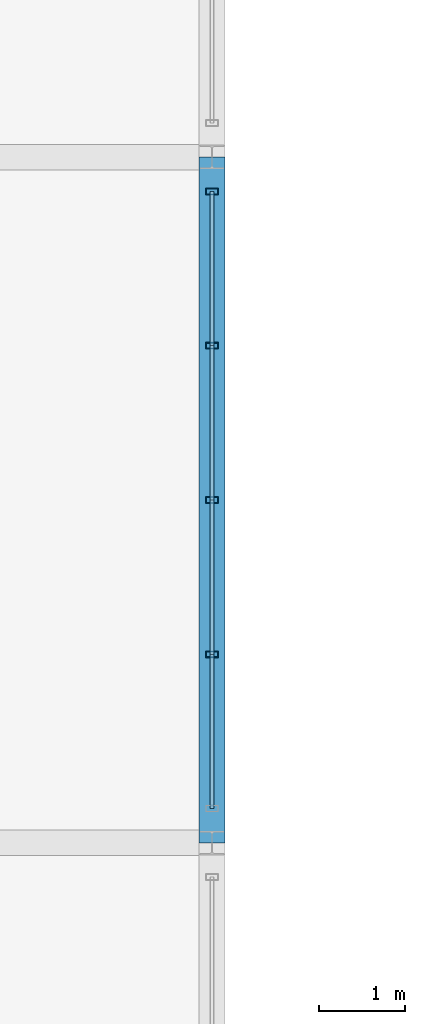
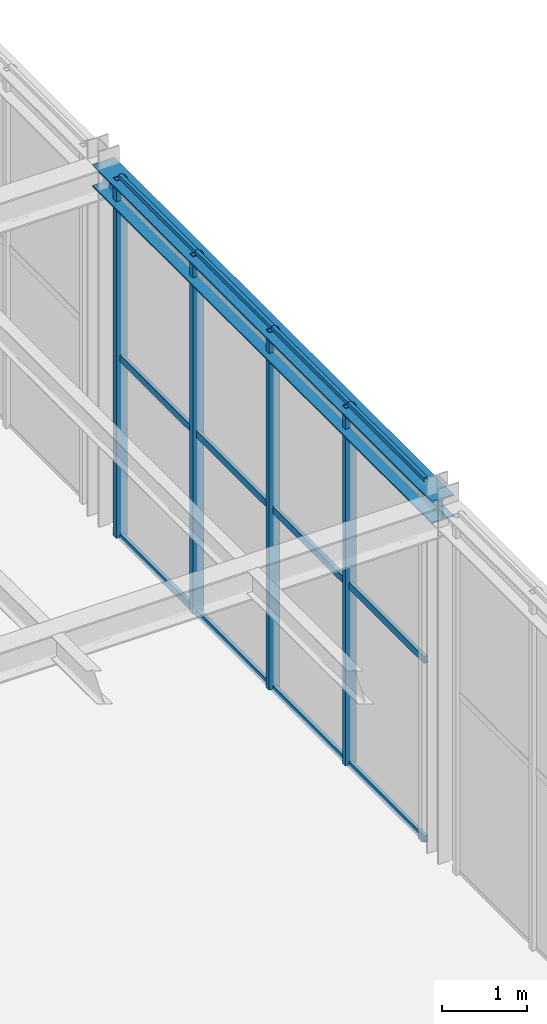
# One storey, part 40 of 129: 16 members, 1 beam, 1 element without a shape of its own.
"""IFC4 building model written with IfcOpenShell, lengths in metres."""

from ifc_helpers import new_model, si_unit, direction, frame, origin, origin_2d, place, context, subcontext, project, spatial, hollow_rectangle, i_section, extrude, material, material_profile, profile_set, type_object, element, aggregate, save


model = new_model("IFC4")

# Units and contexts
model_context = context("Model", 3, precision=1e-05, world=origin(), true_north=direction((0.0, 1.0)))
body_context = subcontext(model_context, "Body", "Model", "MODEL_VIEW")
ifc_project = project(units=[si_unit("LENGTHUNIT", "METRE"), si_unit("AREAUNIT", "SQUARE_METRE"), si_unit("VOLUMEUNIT", "CUBIC_METRE"), si_unit("PLANEANGLEUNIT", "RADIAN"), si_unit("MASSUNIT", "GRAM", prefix="KILO")], contexts=[model_context])

# Site, building, storey
site_placement = place(None, origin())
site = spatial("IfcSite", under=ifc_project, at=site_placement, CompositionType="ELEMENT")
building_placement = place(site_placement, origin())
building = spatial("IfcBuilding", under=site, at=building_placement, Name="Sundkrona Museum", CompositionType="ELEMENT")
storey_placement = place(building_placement, origin())
storey = spatial("IfcBuildingStorey", under=building, at=storey_placement, Name="L00", CompositionType="ELEMENT", Elevation=0.0)

# Curtain wall, members
ifc_material_1 = material(Name="Unitised Aluminium-Steel and Ceramic-Clad Curtain Walling", Category="steel")
curtain_wall_type = type_object("IfcCurtainWallType", Name="CW-PS-74x48", PredefinedType="NOTDEFINED", material=ifc_material_1)
curtain_wall_placement = place(storey_placement, origin())
curtain_wall = element("IfcCurtainWall", 1, at=curtain_wall_placement, inside=storey, type_object=curtain_wall_type, Name="L00 Curtain Wall CW-L00-097", PredefinedType="NOTDEFINED")
ifc_material_2 = material(Name="Aluminium EN AW-6060 T66", Category="aluminium")
ifc_material_profile_1 = material_profile(ifc_material_2, hollow_rectangle(XDim=0.074951171875, YDim=0.14990234375, WallThickness=0.00634765625, at=origin_2d()), Name="RHS 150x75x6.3")
ifc_profile_set_1 = profile_set([ifc_material_profile_1], Name="Aluminium EN AW-6060 T66")
member_type_1 = type_object("IfcMemberType", Name="ML-150", PredefinedType="MULLION", material=ifc_profile_set_1)
member_1_placement = place(storey_placement, frame((96.0, 56.199951171875, -0.00390625), z_axis=(0.0, 0.0, 1.0), x_axis=(0.0, 1.0, 0.0)))
member_1 = element("IfcMember", 2, at=member_1_placement, type_object=member_type_1, Name="CW-L00-097 Mullion 02", PredefinedType="MULLION", context=body_context, shape_type="SweptSolid", body=[
    extrude(hollow_rectangle(XDim=0.074951171875, YDim=0.14990234375, WallThickness=0.00634765625, at=origin_2d()), origin(), (0.0, 0.0, 1.0), 5.14794921875),
])
member_2_placement = place(storey_placement, frame((96.0, 58.0, -0.00390625), z_axis=(0.0, 0.0, 1.0), x_axis=(0.0, 1.0, 0.0)))
member_2 = element("IfcMember", 3, at=member_2_placement, type_object=member_type_1, Name="CW-L00-097 Mullion 03", PredefinedType="MULLION", context=body_context, shape_type="SweptSolid", body=[
    extrude(hollow_rectangle(XDim=0.074951171875, YDim=0.14990234375, WallThickness=0.00634765625, at=origin_2d()), origin(), (0.0, 0.0, 1.0), 5.14794921875),
])
member_3_placement = place(storey_placement, frame((96.0, 59.800048828125, -0.00390625), z_axis=(0.0, 0.0, 1.0), x_axis=(0.0, 1.0, 0.0)))
member_3 = element("IfcMember", 4, at=member_3_placement, type_object=member_type_1, Name="CW-L00-097 Mullion 04", PredefinedType="MULLION", context=body_context, shape_type="SweptSolid", body=[
    extrude(hollow_rectangle(XDim=0.074951171875, YDim=0.14990234375, WallThickness=0.00634765625, at=origin_2d()), origin(), (0.0, 0.0, 1.0), 5.14794921875),
])
member_4_placement = place(storey_placement, frame((96.0, 61.60009765625, -0.00390625), z_axis=(0.0, 0.0, 1.0), x_axis=(0.0, 1.0, 0.0)))
member_4 = element("IfcMember", 5, at=member_4_placement, type_object=member_type_1, Name="CW-L00-097 Mullion 05", PredefinedType="MULLION", context=body_context, shape_type="SweptSolid", body=[
    extrude(hollow_rectangle(XDim=0.074951171875, YDim=0.14990234375, WallThickness=0.00634765625, at=origin_2d()), origin(), (0.0, 0.0, 1.0), 5.14794921875),
])

# Beam
ifc_material_3 = material(Name="Steel S355J2", Category="steel")
ifc_material_profile_2 = material_profile(ifc_material_3, i_section(OverallWidth=0.300048828125, OverallDepth=0.320068359375, WebThickness=0.011474609375, FlangeThickness=0.0205078125, FilletRadius=0.027099609375, at=origin_2d()), Name="HEB 320")
ifc_profile_set_2 = profile_set([ifc_material_profile_2], Name="Steel S355J2")
beam_type = type_object("IfcBeamType", Name="SP-HEB320", PredefinedType="SPANDREL", material=ifc_profile_set_2)
beam_placement = place(storey_placement, frame((96.0, 54.0, 4.97998046875), z_axis=(0.0, 1.0, 0.0), x_axis=(-1.0, 0.0, 0.0)))
element("IfcBeam", 6, at=beam_placement, inside=storey, type_object=beam_type, Name="L00 Girder Y-0703", PredefinedType="SPANDREL", context=body_context, shape_type="SweptSolid", body=[
    extrude(i_section(OverallWidth=0.300048828125, OverallDepth=0.320068359375, WebThickness=0.011474609375, FlangeThickness=0.0205078125, FilletRadius=0.027099609375, at=origin_2d()), origin(), (0.0, 0.0, 1.0), 8.0),
])

# Member
ifc_material_profile_3 = material_profile(ifc_material_2, hollow_rectangle(XDim=0.050048828125, YDim=0.10009765625, WallThickness=0.0048828125, at=origin_2d()), Name="RHS 100x50x5.0")
ifc_profile_set_3 = profile_set([ifc_material_profile_3], Name="Aluminium EN AW-6060 T66")
member_type_2 = type_object("IfcMemberType", Name="TR-100", PredefinedType="USERDEFINED", material=ifc_profile_set_3)
member_5_placement = place(storey_placement, frame((96.0, 54.39990234375, -0.00390625), z_axis=(0.0, 1.0, 0.0), x_axis=(-1.0, 0.0, 0.0)))
member_5 = element("IfcMember", 7, at=member_5_placement, type_object=member_type_2, Name="CW-L00-097 Transom 01", ObjectType="TRANSOM", PredefinedType="USERDEFINED", context=body_context, shape_type="SweptSolid", body=[
    extrude(hollow_rectangle(XDim=0.050048828125, YDim=0.10009765625, WallThickness=0.0048828125, at=origin_2d()), origin(), (0.0, 0.0, 1.0), 1.800048828125),
])

member_6_placement = place(storey_placement, frame((96.0, 54.39990234375, 2.570068359375), z_axis=(0.0, 1.0, 0.0), x_axis=(-1.0, 0.0, 0.0)))
member_6 = element("IfcMember", 8, at=member_6_placement, type_object=member_type_2, Name="CW-L00-097 Transom 02", ObjectType="TRANSOM", PredefinedType="USERDEFINED", context=body_context, shape_type="SweptSolid", body=[
    extrude(hollow_rectangle(XDim=0.050048828125, YDim=0.10009765625, WallThickness=0.0048828125, at=origin_2d()), origin(), (0.0, 0.0, 1.0), 1.800048828125),
])

member_7_placement = place(storey_placement, frame((96.0, 54.39990234375, 5.14404296875), z_axis=(0.0, 1.0, 0.0), x_axis=(-1.0, 0.0, 0.0)))
member_7 = element("IfcMember", 9, at=member_7_placement, type_object=member_type_2, Name="CW-L00-097 Transom 03", ObjectType="TRANSOM", PredefinedType="USERDEFINED", context=body_context, shape_type="SweptSolid", body=[
    extrude(hollow_rectangle(XDim=0.050048828125, YDim=0.10009765625, WallThickness=0.0048828125, at=origin_2d()), origin(), (0.0, 0.0, 1.0), 1.800048828125),
])

member_8_placement = place(storey_placement, frame((96.0, 56.199951171875, -0.00390625), z_axis=(0.0, 1.0, 0.0), x_axis=(-1.0, 0.0, 0.0)))
member_8 = element("IfcMember", 10, at=member_8_placement, type_object=member_type_2, Name="CW-L00-097 Transom 04", ObjectType="TRANSOM", PredefinedType="USERDEFINED", context=body_context, shape_type="SweptSolid", body=[
    extrude(hollow_rectangle(XDim=0.050048828125, YDim=0.10009765625, WallThickness=0.0048828125, at=origin_2d()), origin(), (0.0, 0.0, 1.0), 1.800048828125),
])

member_9_placement = place(storey_placement, frame((96.0, 56.199951171875, 2.570068359375), z_axis=(0.0, 1.0, 0.0), x_axis=(-1.0, 0.0, 0.0)))
member_9 = element("IfcMember", 11, at=member_9_placement, type_object=member_type_2, Name="CW-L00-097 Transom 05", ObjectType="TRANSOM", PredefinedType="USERDEFINED", context=body_context, shape_type="SweptSolid", body=[
    extrude(hollow_rectangle(XDim=0.050048828125, YDim=0.10009765625, WallThickness=0.0048828125, at=origin_2d()), origin(), (0.0, 0.0, 1.0), 1.800048828125),
])

member_10_placement = place(storey_placement, frame((96.0, 56.199951171875, 5.14404296875), z_axis=(0.0, 1.0, 0.0), x_axis=(-1.0, 0.0, 0.0)))
member_10 = element("IfcMember", 12, at=member_10_placement, type_object=member_type_2, Name="CW-L00-097 Transom 06", ObjectType="TRANSOM", PredefinedType="USERDEFINED", context=body_context, shape_type="SweptSolid", body=[
    extrude(hollow_rectangle(XDim=0.050048828125, YDim=0.10009765625, WallThickness=0.0048828125, at=origin_2d()), origin(), (0.0, 0.0, 1.0), 1.800048828125),
])

member_11_placement = place(storey_placement, frame((96.0, 58.0, -0.00390625), z_axis=(0.0, 1.0, 0.0), x_axis=(-1.0, 0.0, 0.0)))
member_11 = element("IfcMember", 13, at=member_11_placement, type_object=member_type_2, Name="CW-L00-097 Transom 07", ObjectType="TRANSOM", PredefinedType="USERDEFINED", context=body_context, shape_type="SweptSolid", body=[
    extrude(hollow_rectangle(XDim=0.050048828125, YDim=0.10009765625, WallThickness=0.0048828125, at=origin_2d()), origin(), (0.0, 0.0, 1.0), 1.800048828125),
])

member_12_placement = place(storey_placement, frame((96.0, 58.0, 2.570068359375), z_axis=(0.0, 1.0, 0.0), x_axis=(-1.0, 0.0, 0.0)))
member_12 = element("IfcMember", 14, at=member_12_placement, type_object=member_type_2, Name="CW-L00-097 Transom 08", ObjectType="TRANSOM", PredefinedType="USERDEFINED", context=body_context, shape_type="SweptSolid", body=[
    extrude(hollow_rectangle(XDim=0.050048828125, YDim=0.10009765625, WallThickness=0.0048828125, at=origin_2d()), origin(), (0.0, 0.0, 1.0), 1.800048828125),
])

member_13_placement = place(storey_placement, frame((96.0, 58.0, 5.14404296875), z_axis=(0.0, 1.0, 0.0), x_axis=(-1.0, 0.0, 0.0)))
member_13 = element("IfcMember", 15, at=member_13_placement, type_object=member_type_2, Name="CW-L00-097 Transom 09", ObjectType="TRANSOM", PredefinedType="USERDEFINED", context=body_context, shape_type="SweptSolid", body=[
    extrude(hollow_rectangle(XDim=0.050048828125, YDim=0.10009765625, WallThickness=0.0048828125, at=origin_2d()), origin(), (0.0, 0.0, 1.0), 1.800048828125),
])

member_14_placement = place(storey_placement, frame((96.0, 59.800048828125, -0.00390625), z_axis=(0.0, 1.0, 0.0), x_axis=(-1.0, 0.0, 0.0)))
member_14 = element("IfcMember", 16, at=member_14_placement, type_object=member_type_2, Name="CW-L00-097 Transom 10", ObjectType="TRANSOM", PredefinedType="USERDEFINED", context=body_context, shape_type="SweptSolid", body=[
    extrude(hollow_rectangle(XDim=0.050048828125, YDim=0.10009765625, WallThickness=0.0048828125, at=origin_2d()), origin(), (0.0, 0.0, 1.0), 1.800048828125),
])

member_15_placement = place(storey_placement, frame((96.0, 59.800048828125, 2.570068359375), z_axis=(0.0, 1.0, 0.0), x_axis=(-1.0, 0.0, 0.0)))
member_15 = element("IfcMember", 17, at=member_15_placement, type_object=member_type_2, Name="CW-L00-097 Transom 11", ObjectType="TRANSOM", PredefinedType="USERDEFINED", context=body_context, shape_type="SweptSolid", body=[
    extrude(hollow_rectangle(XDim=0.050048828125, YDim=0.10009765625, WallThickness=0.0048828125, at=origin_2d()), origin(), (0.0, 0.0, 1.0), 1.800048828125),
])

member_16_placement = place(storey_placement, frame((96.0, 59.800048828125, 5.14404296875), z_axis=(0.0, 1.0, 0.0), x_axis=(-1.0, 0.0, 0.0)))
member_16 = element("IfcMember", 18, at=member_16_placement, type_object=member_type_2, Name="CW-L00-097 Transom 12", ObjectType="TRANSOM", PredefinedType="USERDEFINED", context=body_context, shape_type="SweptSolid", body=[
    extrude(hollow_rectangle(XDim=0.050048828125, YDim=0.10009765625, WallThickness=0.0048828125, at=origin_2d()), origin(), (0.0, 0.0, 1.0), 1.800048828125),
])

aggregate(curtain_wall, [member_1, member_2, member_3, member_4, member_5, member_6, member_7, member_8, member_9, member_10, member_11, member_12, member_13, member_14, member_15, member_16])

save(model, "model.ifc")
